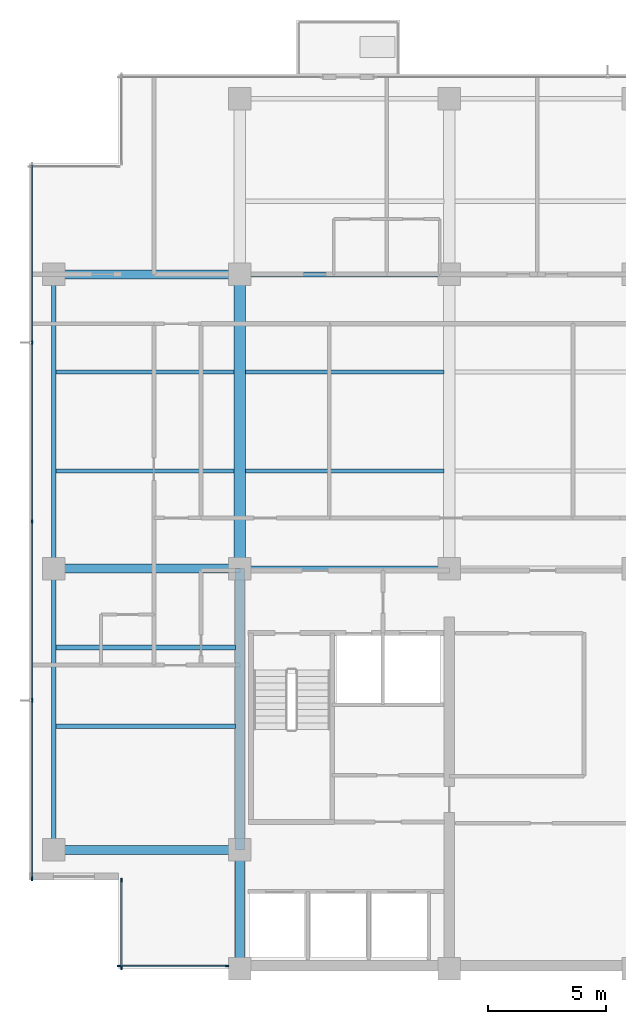
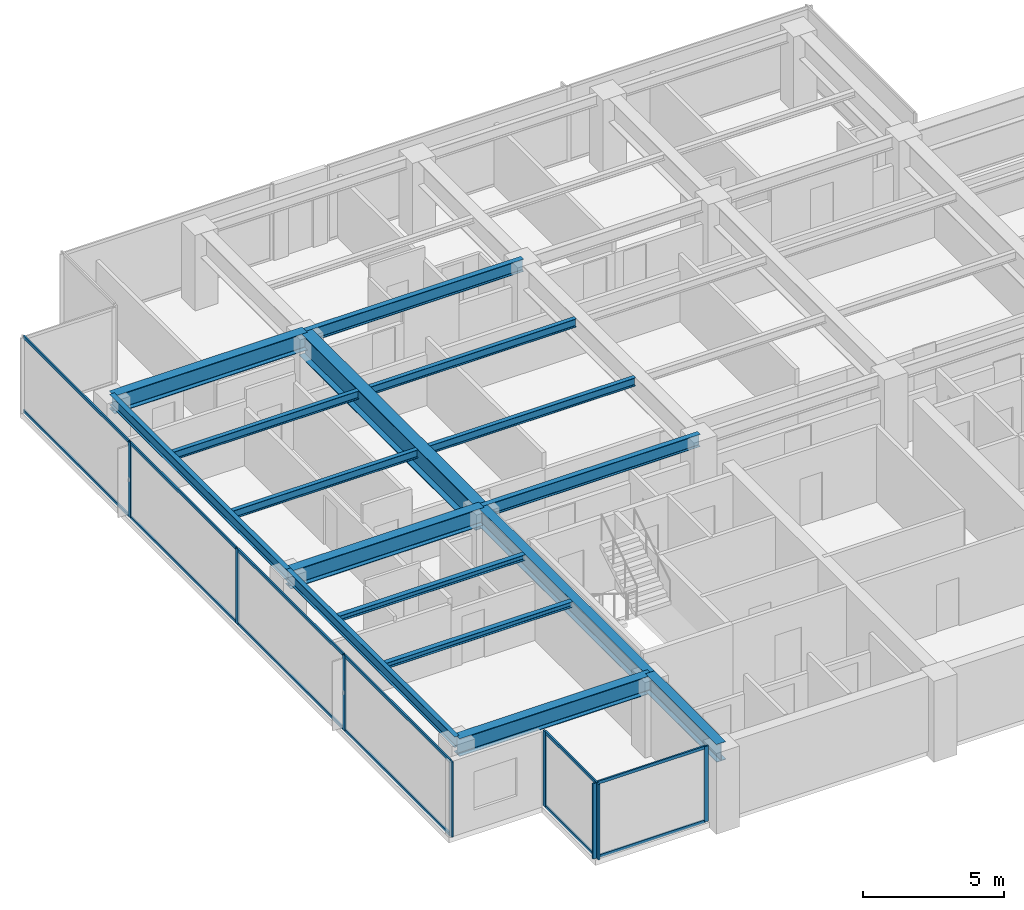
# One storey, part 2 of 14: 20 members, 16 beams, 3 elements without a shape of their own.
"""IFC4 building model written with IfcOpenShell, lengths in metres."""

from ifc_helpers import new_model, si_unit, direction, frame, origin, origin_2d, place, context, subcontext, project, spatial, rectangle, i_section, extrude, material, layer, layer_set, material_profile, profile_set, type_object, element, aggregate, save


model = new_model("IFC4")

# Units and contexts
model_context = context("Model", 3, precision=1e-05, world=origin(), true_north=direction((0.0, 1.0)))
body_context = subcontext(model_context, "Body", "Model", "MODEL_VIEW")
ifc_project = project(units=[si_unit("LENGTHUNIT", "METRE"), si_unit("AREAUNIT", "SQUARE_METRE"), si_unit("VOLUMEUNIT", "CUBIC_METRE"), si_unit("PLANEANGLEUNIT", "RADIAN"), si_unit("MASSUNIT", "GRAM", prefix="KILO")], contexts=[model_context])

# Site, building, storey
site_placement = place(None, origin())
site = spatial("IfcSite", under=ifc_project, at=site_placement, CompositionType="ELEMENT")
building_placement = place(site_placement, origin())
building = spatial("IfcBuilding", under=site, at=building_placement, Name="Qalmaran Belvedere Hotel", CompositionType="ELEMENT")
storey_placement = place(building_placement, frame((0.0, 0.0, 235.39990234375)))
storey = spatial("IfcBuildingStorey", under=building, at=storey_placement, Name="L60", CompositionType="ELEMENT", Elevation=235.39990234375)

# Beams
ifc_material_1 = material(Name="Steel S355JR", Category="steel")
ifc_material_profile_1 = material_profile(ifc_material_1, i_section(OverallWidth=0.201904296875, OverallDepth=0.2470703125, WebThickness=0.00732421875, FlangeThickness=0.010986328125, FilletRadius=0.011962890625, at=origin_2d()), Name="W250X49")
ifc_profile_set_1 = profile_set([ifc_material_profile_1], Name="Steel S355JR")
beam_type_1 = type_object("IfcBeamType", Name="BM-JST-W250X49", PredefinedType="JOIST", material=ifc_profile_set_1)
for number, where, z_axis, x_axis, name in (
    (1, (12.493896484375, 13.800048828125, 3.13671875), (1.0, 0.0, 0.0), (0.0, 1.0, 0.0), "L60 West Wing Joist 038"),
    (2, (12.493896484375, 17.14990234375, 3.13671875), (1.0, 0.0, 0.0), (0.0, 1.0, 0.0), "L60 West Wing Joist 040"),
):
    element("IfcBeam", number, at=place(storey_placement, frame(where, z_axis=z_axis, x_axis=x_axis)), inside=storey, type_object=beam_type_1, Name=name, PredefinedType="JOIST", context=body_context, shape_type="SweptSolid", body=[
        extrude(i_section(OverallWidth=0.201904296875, OverallDepth=0.2470703125, WebThickness=0.00732421875, FlangeThickness=0.010986328125, FilletRadius=0.011962890625, at=origin_2d()), origin(), (0.0, 0.0, 1.0), 7.61767578125),
    ])
ifc_material_profile_2 = material_profile(ifc_material_1, i_section(OverallWidth=0.381103515625, OverallDepth=0.77294921875, WebThickness=0.0166015625, FlangeThickness=0.027099609375, FilletRadius=0.02197265625, at=origin_2d()), Name="W760X257")
ifc_profile_set_2 = profile_set([ifc_material_profile_2], Name="Steel S355JR")
beam_type_2 = type_object("IfcBeamType", Name="BM-PG4-W760X257", PredefinedType="USERDEFINED", material=ifc_profile_set_2)
for number, where, z_axis, x_axis, name in (
    (3, (12.39990234375, 8.550048828125, 2.87353515625), (1.0, 0.0, 0.0), (0.0, 1.0, 0.0), "L60 West Wing Girder 22"),
    (4, (12.39990234375, 20.5, 2.87353515625), (1.0, 0.0, 0.0), (0.0, 1.0, 0.0), "L60 West Wing Girder 23"),
    (5, (12.39990234375, 33.0, 2.87353515625), (1.0, 0.0, 0.0), (0.0, 1.0, 0.0), "L60 West Wing Girder 24"),
):
    element("IfcBeam", number, at=place(storey_placement, frame(where, z_axis=z_axis, x_axis=x_axis)), inside=storey, type_object=beam_type_2, Name=name, ObjectType="GIRDER", PredefinedType="USERDEFINED", context=body_context, shape_type="SweptSolid", body=[
        extrude(i_section(OverallWidth=0.381103515625, OverallDepth=0.77294921875, WebThickness=0.0166015625, FlangeThickness=0.027099609375, FilletRadius=0.02197265625, at=origin_2d()), origin(), (0.0, 0.0, 1.0), 7.900146484375),
    ])
beam_1_placement = place(storey_placement, frame((20.300048828125, 3.5, 2.87353515625), z_axis=(0.0, 1.0, 0.0), x_axis=(-1.0, 0.0, 0.0)))
element("IfcBeam", 6, at=beam_1_placement, inside=storey, type_object=beam_type_2, Name="L60 West Core Edge Girder A", ObjectType="GIRDER", PredefinedType="USERDEFINED", context=body_context, shape_type="SweptSolid", body=[
    extrude(i_section(OverallWidth=0.381103515625, OverallDepth=0.77294921875, WebThickness=0.0166015625, FlangeThickness=0.027099609375, FilletRadius=0.02197265625, at=origin_2d()), origin(), (0.0, 0.0, 1.0), 5.050048828125),
])
beam_2_placement = place(storey_placement, frame((20.300048828125, 8.550048828125, 2.87353515625), z_axis=(0.0, 1.0, 0.0), x_axis=(-1.0, 0.0, 0.0)))
element("IfcBeam", 7, at=beam_2_placement, inside=storey, type_object=beam_type_2, Name="L60 West Core Edge Girder B", ObjectType="GIRDER", PredefinedType="USERDEFINED", context=body_context, shape_type="SweptSolid", body=[
    extrude(i_section(OverallWidth=0.381103515625, OverallDepth=0.77294921875, WebThickness=0.0166015625, FlangeThickness=0.027099609375, FilletRadius=0.02197265625, at=origin_2d()), origin(), (0.0, 0.0, 1.0), 11.949951171875),
])
ifc_material_profile_3 = material_profile(ifc_material_1, i_section(OverallWidth=0.172119140625, OverallDepth=0.35791015625, WebThickness=0.0078125, FlangeThickness=0.01318359375, FilletRadius=0.014892578125, at=origin_2d()), Name="W360X57")
ifc_profile_set_3 = profile_set([ifc_material_profile_3], Name="Steel S355JR")
beam_type_3 = type_object("IfcBeamType", Name="BM-SB4-W360X57", PredefinedType="BEAM", material=ifc_profile_set_3)
beam_3_placement = place(storey_placement, frame((12.493896484375, 24.64990234375, 3.0810546875), z_axis=(1.0, 0.0, 0.0), x_axis=(0.0, 1.0, 0.0)))
element("IfcBeam", 8, at=beam_3_placement, inside=storey, type_object=beam_type_3, Name="L60 West Secondary Beam 028", PredefinedType="BEAM", context=body_context, shape_type="SweptSolid", body=[
    extrude(i_section(OverallWidth=0.172119140625, OverallDepth=0.35791015625, WebThickness=0.0078125, FlangeThickness=0.01318359375, FilletRadius=0.014892578125, at=origin_2d()), origin(), (0.0, 0.0, 1.0), 7.568115234375),
])
beam_4_placement = place(storey_placement, frame((20.5380859375, 24.64990234375, 3.0810546875), z_axis=(1.0, 0.0, 0.0), x_axis=(0.0, 1.0, 0.0)))
element("IfcBeam", 9, at=beam_4_placement, inside=storey, type_object=beam_type_3, Name="L60 Secondary Floor Beam 029", PredefinedType="BEAM", context=body_context, shape_type="SweptSolid", body=[
    extrude(i_section(OverallWidth=0.172119140625, OverallDepth=0.35791015625, WebThickness=0.0078125, FlangeThickness=0.01318359375, FilletRadius=0.014892578125, at=origin_2d()), origin(), (0.0, 0.0, 1.0), 8.423828125),
])
beam_5_placement = place(storey_placement, frame((12.493896484375, 28.85009765625, 3.0810546875), z_axis=(1.0, 0.0, 0.0), x_axis=(0.0, 1.0, 0.0)))
element("IfcBeam", 10, at=beam_5_placement, inside=storey, type_object=beam_type_3, Name="L60 West Secondary Beam 033", PredefinedType="BEAM", context=body_context, shape_type="SweptSolid", body=[
    extrude(i_section(OverallWidth=0.172119140625, OverallDepth=0.35791015625, WebThickness=0.0078125, FlangeThickness=0.01318359375, FilletRadius=0.014892578125, at=origin_2d()), origin(), (0.0, 0.0, 1.0), 7.568115234375),
])
beam_6_placement = place(storey_placement, frame((20.5380859375, 28.85009765625, 3.0810546875), z_axis=(1.0, 0.0, 0.0), x_axis=(0.0, 1.0, 0.0)))
element("IfcBeam", 11, at=beam_6_placement, inside=storey, type_object=beam_type_3, Name="L60 Secondary Floor Beam 034", PredefinedType="BEAM", context=body_context, shape_type="SweptSolid", body=[
    extrude(i_section(OverallWidth=0.172119140625, OverallDepth=0.35791015625, WebThickness=0.0078125, FlangeThickness=0.01318359375, FilletRadius=0.014892578125, at=origin_2d()), origin(), (0.0, 0.0, 1.0), 8.423828125),
])
ifc_material_profile_4 = material_profile(ifc_material_1, i_section(OverallWidth=0.19189453125, OverallDepth=0.462890625, WebThickness=0.010498046875, FlangeThickness=0.017578125, FilletRadius=0.01611328125, at=origin_2d()), Name="W460X89")
ifc_profile_set_4 = profile_set([ifc_material_profile_4], Name="Steel S355JR")
beam_type_4 = type_object("IfcBeamType", Name="BM-SP2-W460X89", PredefinedType="SPANDREL", material=ifc_profile_set_4)
beam_7_placement = place(storey_placement, frame((12.39990234375, 8.550048828125, 3.028564453125), z_axis=(0.0, 1.0, 0.0), x_axis=(-1.0, 0.0, 0.0)))
element("IfcBeam", 12, at=beam_7_placement, inside=storey, type_object=beam_type_4, Name="L60 Perimeter Spandrel 01", PredefinedType="SPANDREL", context=body_context, shape_type="SweptSolid", body=[
    extrude(i_section(OverallWidth=0.19189453125, OverallDepth=0.462890625, WebThickness=0.010498046875, FlangeThickness=0.017578125, FilletRadius=0.01611328125, at=origin_2d()), origin(), (0.0, 0.0, 1.0), 11.949951171875),
])
beam_8_placement = place(storey_placement, frame((12.39990234375, 20.5, 3.028564453125), z_axis=(0.0, 1.0, 0.0), x_axis=(-1.0, 0.0, 0.0)))
element("IfcBeam", 13, at=beam_8_placement, inside=storey, type_object=beam_type_4, Name="L60 Perimeter Spandrel 02", PredefinedType="SPANDREL", context=body_context, shape_type="SweptSolid", body=[
    extrude(i_section(OverallWidth=0.19189453125, OverallDepth=0.462890625, WebThickness=0.010498046875, FlangeThickness=0.017578125, FilletRadius=0.01611328125, at=origin_2d()), origin(), (0.0, 0.0, 1.0), 12.5),
])
ifc_material_profile_5 = material_profile(ifc_material_1, i_section(OverallWidth=0.47998046875, OverallDepth=1.0400390625, WebThickness=0.02197265625, FlangeThickness=0.033935546875, at=origin_2d()), Name="PG1040X480X34")
ifc_profile_set_5 = profile_set([ifc_material_profile_5], Name="Steel S355JR")
beam_type_5 = type_object("IfcBeamType", Name="BM-TG8-PG1040X480", PredefinedType="USERDEFINED", material=ifc_profile_set_5)
beam_9_placement = place(storey_placement, frame((20.300048828125, 20.5, 2.739990234375), z_axis=(0.0, 1.0, 0.0), x_axis=(-1.0, 0.0, 0.0)))
element("IfcBeam", 14, at=beam_9_placement, inside=storey, type_object=beam_type_5, Name="L60 Mid-Plate N-S Girder 14", ObjectType="GIRDER", PredefinedType="USERDEFINED", context=body_context, shape_type="SweptSolid", body=[
    extrude(i_section(OverallWidth=0.47998046875, OverallDepth=1.0400390625, WebThickness=0.02197265625, FlangeThickness=0.033935546875, at=origin_2d()), origin(), (0.0, 0.0, 1.0), 12.5),
])
ifc_material_profile_6 = material_profile(ifc_material_1, i_section(OverallWidth=0.2109375, OverallDepth=0.5390625, WebThickness=0.01171875, FlangeThickness=0.018798828125, FilletRadius=0.01806640625, at=origin_2d()), Name="W530X109")
ifc_profile_set_6 = profile_set([ifc_material_profile_6], Name="Steel S355JR")
beam_type_6 = type_object("IfcBeamType", Name="BM-Z4-W530X109", PredefinedType="USERDEFINED", material=ifc_profile_set_6)
for number, where, z_axis, x_axis, name in (
    (15, (20.300048828125, 20.5, 2.990478515625), (1.0, 0.0, 0.0), (0.0, 1.0, 0.0), "L60 Interior E-W Girder 08"),
    (16, (20.300048828125, 33.0, 2.990478515625), (1.0, 0.0, 0.0), (0.0, 1.0, 0.0), "L60 Interior E-W Girder 11"),
):
    element("IfcBeam", number, at=place(storey_placement, frame(where, z_axis=z_axis, x_axis=x_axis)), inside=storey, type_object=beam_type_6, Name=name, ObjectType="GIRDER", PredefinedType="USERDEFINED", context=body_context, shape_type="SweptSolid", body=[
        extrude(i_section(OverallWidth=0.2109375, OverallDepth=0.5390625, WebThickness=0.01171875, FlangeThickness=0.018798828125, FilletRadius=0.01806640625, at=origin_2d()), origin(), (0.0, 0.0, 1.0), 8.89990234375),
    ])

# Curtain wall, members
ifc_material_2 = material(Name="Anodised Bronze Aluminium", Category="aluminium")
ifc_layer = layer(ifc_material_2, 0.18994140625, Name="Anodised Bronze Aluminium")
ifc_layer_set = layer_set([ifc_layer], Name="Anodised Bronze Aluminium")
curtain_wall_type = type_object("IfcCurtainWallType", Name="CW5-TOWER-UPPER", PredefinedType="NOTDEFINED", material=ifc_layer_set)
curtain_wall_1_placement = place(storey_placement, origin())
curtain_wall_1 = element("IfcCurtainWall", 17, at=curtain_wall_1_placement, inside=storey, type_object=curtain_wall_type, Name="L60 Curtain Wall CW5", PredefinedType="NOTDEFINED")
ifc_material_profile_7 = material_profile(ifc_material_2, rectangle(XDim=0.06494140625, YDim=0.1650390625, at=origin_2d()), Name="CWM65X165")
ifc_profile_set_7 = profile_set([ifc_material_profile_7], Name="Anodised Bronze Aluminium")
member_type_1 = type_object("IfcMemberType", Name="CWM-65X165", PredefinedType="MULLION", material=ifc_profile_set_7)
member_1_placement = place(storey_placement, frame((15.1826171875, 3.6201171875, 0.0), z_axis=(0.0, 0.0, 1.0), x_axis=(0.0, 1.0, 0.0)))
member_1 = element("IfcMember", 18, at=member_1_placement, type_object=member_type_1, Name="CW5 mullion 1", PredefinedType="MULLION", context=body_context, shape_type="SweptSolid", body=[
    extrude(rectangle(XDim=0.06494140625, YDim=0.1650390625, at=origin_2d()), origin(), (0.0, 0.0, 1.0), 3.260009765625),
])
member_2_placement = place(storey_placement, frame((19.75244140625, 3.6201171875, 0.0), z_axis=(0.0, 0.0, 1.0), x_axis=(0.0, 1.0, 0.0)))
member_2 = element("IfcMember", 19, at=member_2_placement, type_object=member_type_1, Name="CW5 mullion 2", PredefinedType="MULLION", context=body_context, shape_type="SweptSolid", body=[
    extrude(rectangle(XDim=0.06494140625, YDim=0.1650390625, at=origin_2d()), origin(), (0.0, 0.0, 1.0), 3.260009765625),
])

curtain_wall_2_placement = place(storey_placement, origin())
curtain_wall_2 = element("IfcCurtainWall", 20, at=curtain_wall_2_placement, inside=storey, type_object=curtain_wall_type, Name="L60 Curtain Wall CW5", PredefinedType="NOTDEFINED")
member_3_placement = place(storey_placement, frame((11.469970703125, 30.10009765625, 0.0), z_axis=(0.0, 0.0, 1.0), x_axis=(1.0, 0.0, 0.0)))
member_3 = element("IfcMember", 21, at=member_3_placement, type_object=member_type_1, Name="CW5 mullion 2", PredefinedType="MULLION", context=body_context, shape_type="SweptSolid", body=[
    extrude(rectangle(XDim=0.06494140625, YDim=0.1650390625, at=origin_2d()), origin(), (0.0, 0.0, 1.0), 3.260009765625),
])
member_4_placement = place(storey_placement, frame((11.469970703125, 22.5, 0.0), z_axis=(0.0, 0.0, 1.0), x_axis=(1.0, 0.0, 0.0)))
member_4 = element("IfcMember", 22, at=member_4_placement, type_object=member_type_1, Name="CW5 mullion 3", PredefinedType="MULLION", context=body_context, shape_type="SweptSolid", body=[
    extrude(rectangle(XDim=0.06494140625, YDim=0.1650390625, at=origin_2d()), origin(), (0.0, 0.0, 1.0), 3.260009765625),
])
member_5_placement = place(storey_placement, frame((11.469970703125, 14.89990234375, 0.0), z_axis=(0.0, 0.0, 1.0), x_axis=(1.0, 0.0, 0.0)))
member_5 = element("IfcMember", 23, at=member_5_placement, type_object=member_type_1, Name="CW5 mullion 4", PredefinedType="MULLION", context=body_context, shape_type="SweptSolid", body=[
    extrude(rectangle(XDim=0.06494140625, YDim=0.1650390625, at=origin_2d()), origin(), (0.0, 0.0, 1.0), 3.260009765625),
])
member_6_placement = place(storey_placement, frame((11.469970703125, 7.33251953125, 0.0), z_axis=(0.0, 0.0, 1.0), x_axis=(1.0, 0.0, 0.0)))
member_6 = element("IfcMember", 24, at=member_6_placement, type_object=member_type_1, Name="CW5 mullion 5", PredefinedType="MULLION", context=body_context, shape_type="SweptSolid", body=[
    extrude(rectangle(XDim=0.06494140625, YDim=0.1650390625, at=origin_2d()), origin(), (0.0, 0.0, 1.0), 3.260009765625),
])

curtain_wall_3_placement = place(storey_placement, origin())
curtain_wall_3 = element("IfcCurtainWall", 25, at=curtain_wall_3_placement, inside=storey, type_object=curtain_wall_type, Name="L60 Curtain Wall CW5", PredefinedType="NOTDEFINED")
member_7_placement = place(storey_placement, frame((15.27001953125, 7.267578125, 0.0), z_axis=(0.0, 0.0, 1.0), x_axis=(1.0, 0.0, 0.0)))
member_7 = element("IfcMember", 26, at=member_7_placement, type_object=member_type_1, Name="CW5 mullion 1", PredefinedType="MULLION", context=body_context, shape_type="SweptSolid", body=[
    extrude(rectangle(XDim=0.06494140625, YDim=0.1650390625, at=origin_2d()), origin(), (0.0, 0.0, 1.0), 3.260009765625),
])
member_8_placement = place(storey_placement, frame((15.27001953125, 3.532470703125, 0.0), z_axis=(0.0, 0.0, 1.0), x_axis=(1.0, 0.0, 0.0)))
member_8 = element("IfcMember", 27, at=member_8_placement, type_object=member_type_1, Name="CW5 mullion 2", PredefinedType="MULLION", context=body_context, shape_type="SweptSolid", body=[
    extrude(rectangle(XDim=0.06494140625, YDim=0.1650390625, at=origin_2d()), origin(), (0.0, 0.0, 1.0), 3.260009765625),
])

# Member
ifc_material_profile_8 = material_profile(ifc_material_2, rectangle(XDim=0.06494140625, YDim=0.1298828125, at=origin_2d()), Name="CWT65X130")
ifc_profile_set_8 = profile_set([ifc_material_profile_8], Name="Anodised Bronze Aluminium")
member_type_2 = type_object("IfcMemberType", Name="CWT-65X130", PredefinedType="USERDEFINED", material=ifc_profile_set_8)
member_9_placement = place(storey_placement, frame((15.215087890625, 3.6201171875, 0.03271484375), z_axis=(1.0, 0.0, 0.0), x_axis=(0.0, 1.0, 0.0)))
member_9 = element("IfcMember", 28, at=member_9_placement, type_object=member_type_2, Name="CW5 transom 1.1", ObjectType="TRANSOM", PredefinedType="USERDEFINED", context=body_context, shape_type="SweptSolid", body=[
    extrude(rectangle(XDim=0.06494140625, YDim=0.1298828125, at=origin_2d()), origin(), (0.0, 0.0, 1.0), 4.5048828125),
])

member_10_placement = place(storey_placement, frame((15.215087890625, 3.6201171875, 3.2275390625), z_axis=(1.0, 0.0, 0.0), x_axis=(0.0, 1.0, 0.0)))
member_10 = element("IfcMember", 29, at=member_10_placement, type_object=member_type_2, Name="CW5 transom 1.2", ObjectType="TRANSOM", PredefinedType="USERDEFINED", context=body_context, shape_type="SweptSolid", body=[
    extrude(rectangle(XDim=0.06494140625, YDim=0.1298828125, at=origin_2d()), origin(), (0.0, 0.0, 1.0), 4.5048828125),
])

aggregate(curtain_wall_1, [member_1, member_2, member_9, member_10])

member_11_placement = place(storey_placement, frame((11.469970703125, 37.635009765625, 0.03271484375), z_axis=(0.0, -1.0, 0.0), x_axis=(1.0, 0.0, 0.0)))
member_11 = element("IfcMember", 30, at=member_11_placement, type_object=member_type_2, Name="CW5 transom 1.1", ObjectType="TRANSOM", PredefinedType="USERDEFINED", context=body_context, shape_type="SweptSolid", body=[
    extrude(rectangle(XDim=0.06494140625, YDim=0.1298828125, at=origin_2d()), origin(), (0.0, 0.0, 1.0), 7.50244140625),
])

member_12_placement = place(storey_placement, frame((11.469970703125, 37.635009765625, 3.2275390625), z_axis=(0.0, -1.0, 0.0), x_axis=(1.0, 0.0, 0.0)))
member_12 = element("IfcMember", 31, at=member_12_placement, type_object=member_type_2, Name="CW5 transom 1.2", ObjectType="TRANSOM", PredefinedType="USERDEFINED", context=body_context, shape_type="SweptSolid", body=[
    extrude(rectangle(XDim=0.06494140625, YDim=0.1298828125, at=origin_2d()), origin(), (0.0, 0.0, 1.0), 7.50244140625),
])

member_13_placement = place(storey_placement, frame((11.469970703125, 30.0673828125, 0.03271484375), z_axis=(0.0, -1.0, 0.0), x_axis=(1.0, 0.0, 0.0)))
member_13 = element("IfcMember", 32, at=member_13_placement, type_object=member_type_2, Name="CW5 transom 2.1", ObjectType="TRANSOM", PredefinedType="USERDEFINED", context=body_context, shape_type="SweptSolid", body=[
    extrude(rectangle(XDim=0.06494140625, YDim=0.1298828125, at=origin_2d()), origin(), (0.0, 0.0, 1.0), 7.534912109375),
])

member_14_placement = place(storey_placement, frame((11.469970703125, 30.0673828125, 3.2275390625), z_axis=(0.0, -1.0, 0.0), x_axis=(1.0, 0.0, 0.0)))
member_14 = element("IfcMember", 33, at=member_14_placement, type_object=member_type_2, Name="CW5 transom 2.2", ObjectType="TRANSOM", PredefinedType="USERDEFINED", context=body_context, shape_type="SweptSolid", body=[
    extrude(rectangle(XDim=0.06494140625, YDim=0.1298828125, at=origin_2d()), origin(), (0.0, 0.0, 1.0), 7.534912109375),
])

member_15_placement = place(storey_placement, frame((11.469970703125, 22.467529296875, 0.03271484375), z_axis=(0.0, -1.0, 0.0), x_axis=(1.0, 0.0, 0.0)))
member_15 = element("IfcMember", 34, at=member_15_placement, type_object=member_type_2, Name="CW5 transom 3.1", ObjectType="TRANSOM", PredefinedType="USERDEFINED", context=body_context, shape_type="SweptSolid", body=[
    extrude(rectangle(XDim=0.06494140625, YDim=0.1298828125, at=origin_2d()), origin(), (0.0, 0.0, 1.0), 7.534912109375),
])

member_16_placement = place(storey_placement, frame((11.469970703125, 22.467529296875, 3.2275390625), z_axis=(0.0, -1.0, 0.0), x_axis=(1.0, 0.0, 0.0)))
member_16 = element("IfcMember", 35, at=member_16_placement, type_object=member_type_2, Name="CW5 transom 3.2", ObjectType="TRANSOM", PredefinedType="USERDEFINED", context=body_context, shape_type="SweptSolid", body=[
    extrude(rectangle(XDim=0.06494140625, YDim=0.1298828125, at=origin_2d()), origin(), (0.0, 0.0, 1.0), 7.534912109375),
])

member_17_placement = place(storey_placement, frame((11.469970703125, 14.867431640625, 0.03271484375), z_axis=(0.0, -1.0, 0.0), x_axis=(1.0, 0.0, 0.0)))
member_17 = element("IfcMember", 36, at=member_17_placement, type_object=member_type_2, Name="CW5 transom 4.1", ObjectType="TRANSOM", PredefinedType="USERDEFINED", context=body_context, shape_type="SweptSolid", body=[
    extrude(rectangle(XDim=0.06494140625, YDim=0.1298828125, at=origin_2d()), origin(), (0.0, 0.0, 1.0), 7.50244140625),
])

member_18_placement = place(storey_placement, frame((11.469970703125, 14.867431640625, 3.2275390625), z_axis=(0.0, -1.0, 0.0), x_axis=(1.0, 0.0, 0.0)))
member_18 = element("IfcMember", 37, at=member_18_placement, type_object=member_type_2, Name="CW5 transom 4.2", ObjectType="TRANSOM", PredefinedType="USERDEFINED", context=body_context, shape_type="SweptSolid", body=[
    extrude(rectangle(XDim=0.06494140625, YDim=0.1298828125, at=origin_2d()), origin(), (0.0, 0.0, 1.0), 7.50244140625),
])

aggregate(curtain_wall_2, [member_3, member_4, member_5, member_6, member_11, member_12, member_13, member_14, member_15, member_16, member_17, member_18])

member_19_placement = place(storey_placement, frame((15.27001953125, 7.235107421875, 0.03271484375), z_axis=(0.0, -1.0, 0.0), x_axis=(1.0, 0.0, 0.0)))
member_19 = element("IfcMember", 38, at=member_19_placement, type_object=member_type_2, Name="CW5 transom 1.1", ObjectType="TRANSOM", PredefinedType="USERDEFINED", context=body_context, shape_type="SweptSolid", body=[
    extrude(rectangle(XDim=0.06494140625, YDim=0.1298828125, at=origin_2d()), origin(), (0.0, 0.0, 1.0), 3.670166015625),
])

member_20_placement = place(storey_placement, frame((15.27001953125, 7.235107421875, 3.2275390625), z_axis=(0.0, -1.0, 0.0), x_axis=(1.0, 0.0, 0.0)))
member_20 = element("IfcMember", 39, at=member_20_placement, type_object=member_type_2, Name="CW5 transom 1.2", ObjectType="TRANSOM", PredefinedType="USERDEFINED", context=body_context, shape_type="SweptSolid", body=[
    extrude(rectangle(XDim=0.06494140625, YDim=0.1298828125, at=origin_2d()), origin(), (0.0, 0.0, 1.0), 3.670166015625),
])

aggregate(curtain_wall_3, [member_7, member_8, member_19, member_20])

save(model, "model.ifc")
